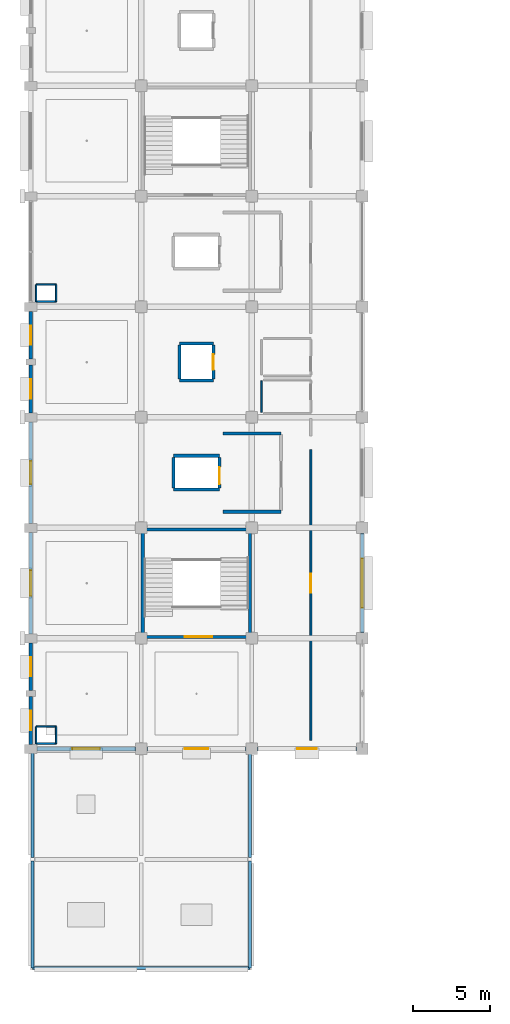
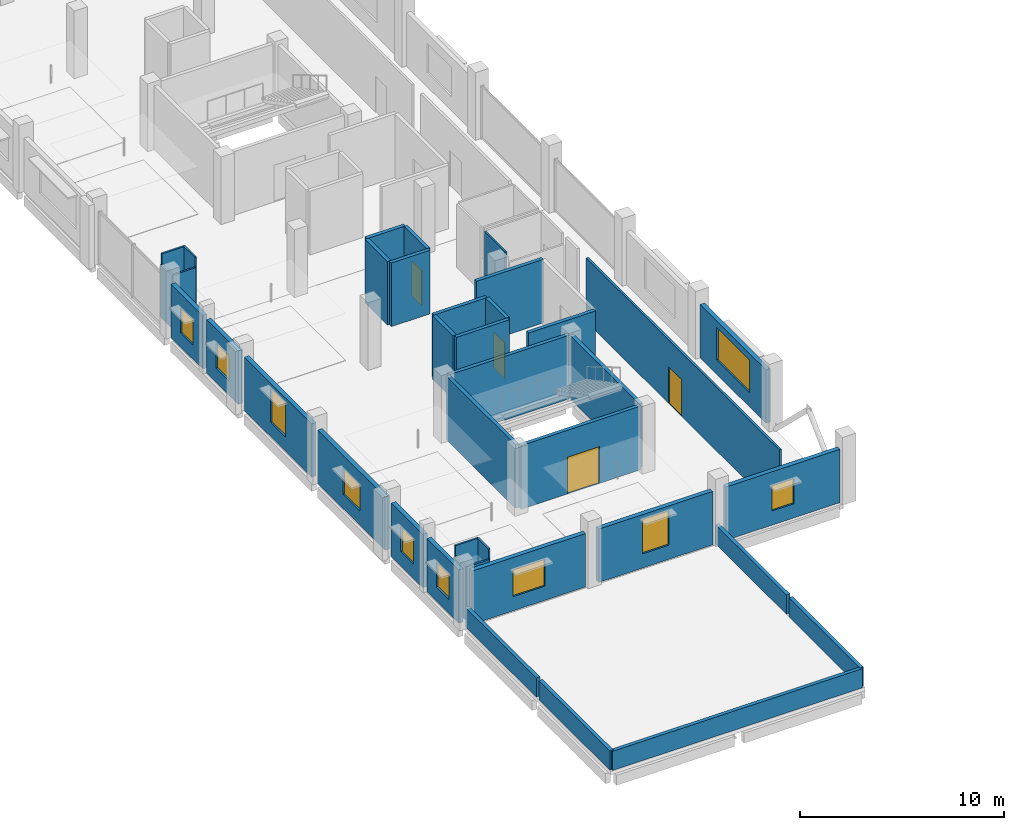
# One storey, part 66 of 91: 39 walls, 10 windows, 4 doors, 14 openings.
"""IFC4 building model written with IfcOpenShell, lengths in metres."""

from ifc_helpers import new_model, si_unit, direction, frame, frame_2d, origin, place, context, subcontext, project, spatial, rectangle, extrude, material, layer, layer_set, type_object, element, fill, save


model = new_model("IFC4")

# Units and contexts
model_context = context("Model", 3, precision=1e-05, world=origin(), true_north=direction((0.0, 1.0)))
body_context = subcontext(model_context, "Body", "Model", "MODEL_VIEW")
ifc_project = project(units=[si_unit("LENGTHUNIT", "METRE"), si_unit("AREAUNIT", "SQUARE_METRE"), si_unit("VOLUMEUNIT", "CUBIC_METRE"), si_unit("PLANEANGLEUNIT", "RADIAN"), si_unit("MASSUNIT", "GRAM", prefix="KILO")], contexts=[model_context])

# Site, building, storey
site_placement = place(None, origin())
site = spatial("IfcSite", under=ifc_project, at=site_placement, CompositionType="ELEMENT")
building_placement = place(site_placement, origin())
building = spatial("IfcBuilding", under=site, at=building_placement, Name="Kangsadwip Square Police Headquarters", CompositionType="ELEMENT")
storey_placement = place(building_placement, frame((0.0, 0.0, 13.5)))
storey = spatial("IfcBuildingStorey", under=building, at=storey_placement, Name="L03", CompositionType="ELEMENT", Elevation=13.5)

# Wall, opening, door
ifc_material_1 = material(Name="Fire-rated double gypsum board acoustic stud partition", Category="masonry")
ifc_layer_1 = layer(ifc_material_1, 0.1201171875)
ifc_layer_set_1 = layer_set([ifc_layer_1], Name="Fire-rated double gypsum board acoustic stud partition")
wall_type_1 = type_object("IfcWallType", Name="AcousticPartition120", PredefinedType="PARTITIONING", material=ifc_layer_set_1)
wall_1_placement = place(storey_placement, frame((18.25, 36.550048828125, 0.0), z_axis=(0.0, 0.0, 1.0), x_axis=(0.0, 1.0, 0.0)))
wall_1 = element("IfcWall", 1, at=wall_1_placement, inside=storey, type_object=wall_type_1, Name="Interior Wall WI-L03-0820", PredefinedType="PARTITIONING", context=body_context, shape_type="SweptSolid", body=[
    extrude(rectangle(XDim=18.949951171875, YDim=0.1201171875, at=frame_2d((9.47509765625, 0.0))), origin(), (0.0, 0.0, 1.0), 3.81005859375),
])
opening_1_placement = place(wall_1_placement, frame((9.60888671875, 0.0, 0.0)))
opening_1 = element("IfcOpeningElement", 2, at=opening_1_placement, cuts=wall_1, Name="Opening ID-12A", PredefinedType="OPENING", context=body_context, shape_type="SweptSolid", body=[
    extrude(rectangle(XDim=1.25, YDim=2.199951171875, at=frame_2d((0.625, 1.10009765625))), frame((0.0, 0.070068359375, 0.0), z_axis=(0.0, -1.0, 0.0), x_axis=(1.0, 0.0, 0.0)), (0.0, 0.0, 1.0), 0.14013671875),
])
ifc_material_2 = material(Name="Solid-core seasoned teak hardwood architectural door", Category="wood")
door_type_1 = type_object("IfcDoorType", Name="ClassroomDoor1250x2200", OperationType="NOTDEFINED", PredefinedType="DOOR", material=ifc_material_2)
door_1_placement = place(opening_1_placement, origin())
door_1 = element("IfcDoor", 3, at=door_1_placement, inside=storey, type_object=door_type_1, Name="Interior Door ID-L03-0213", OperationType="SINGLE_SWING_RIGHT", OverallHeight=2.199951171875, OverallWidth=1.25, PredefinedType="DOOR", context=body_context, shape_type="SweptSolid", body=[
    extrude(rectangle(XDim=1.25, YDim=2.199951171875, at=frame_2d((0.625, 1.10009765625))), frame((0.0, 0.02490234375, 0.0), z_axis=(0.0, -1.0, 0.0), x_axis=(1.0, 0.0, 0.0)), (0.0, 0.0, 1.0), 0.050048828125),
])
fill(opening_1, door_1)

# Wall, opening, window
ifc_material_3 = material(Name="Glazed architectural terracotta masonry rainscreen", Category="masonry")
ifc_layer_2 = layer(ifc_material_3, 0.25)
ifc_layer_set_2 = layer_set([ifc_layer_2], Name="Glazed architectural terracotta masonry rainscreen")
wall_type_2 = type_object("IfcWallType", Name="ChicagoTerracottaWall250", PredefinedType="SOLIDWALL", material=ifc_layer_set_2)
wall_2_placement = place(storey_placement, frame((0.39501953125, 36.0, 0.0), z_axis=(0.0, 0.0, 1.0), x_axis=(1.0, 0.0, 0.0)))
wall_2 = element("IfcWall", 4, at=wall_2_placement, inside=storey, type_object=wall_type_2, Name="Exterior Wall WE-L03-369", PredefinedType="SOLIDWALL", context=body_context, shape_type="SweptSolid", body=[
    extrude(rectangle(XDim=6.43505859375, YDim=0.25, at=frame_2d((3.217529296875, 0.0))), origin(), (0.0, 0.0, 1.0), 3.195068359375),
])
opening_2_placement = place(wall_2_placement, frame((2.3173828125, 0.0, 0.85009765625)))
opening_2 = element("IfcOpeningElement", 5, at=opening_2_placement, cuts=wall_2, Name="Opening WN-10", PredefinedType="OPENING", context=body_context, shape_type="SweptSolid", body=[
    extrude(rectangle(XDim=1.800048828125, YDim=1.60009765625, at=frame_2d((0.89990234375, 0.800048828125))), frame((0.0, 0.135009765625, 0.0), z_axis=(0.0, -1.0, 0.0), x_axis=(1.0, 0.0, 0.0)), (0.0, 0.0, 1.0), 0.27001953125),
])
ifc_material_4 = material(Name="Double-glazed solar-control low-E safety glass", Category="glass")
window_type_1 = type_object("IfcWindowType", Name="LabCleanViewWin1800x1600", PartitioningType="DOUBLE_PANEL_VERTICAL", PredefinedType="WINDOW", material=ifc_material_4)
window_1_placement = place(opening_2_placement, origin())
window_1 = element("IfcWindow", 6, at=window_1_placement, inside=storey, type_object=window_type_1, Name="Window WN-L03-0222", OverallHeight=1.60009765625, OverallWidth=1.800048828125, PartitioningType="SINGLE_PANEL", PredefinedType="WINDOW", context=body_context, shape_type="SweptSolid", body=[
    extrude(rectangle(XDim=1.800048828125, YDim=1.60009765625, at=frame_2d((0.89990234375, 0.800048828125))), frame((0.0, 0.030029296875, 0.0), z_axis=(0.0, -1.0, 0.0), x_axis=(1.0, 0.0, 0.0)), (0.0, 0.0, 1.0), 0.06005859375),
])
fill(opening_2, window_1)

wall_3_placement = place(storey_placement, frame((7.570068359375, 36.0, 0.0), z_axis=(0.0, 0.0, 1.0), x_axis=(1.0, 0.0, 0.0)))
wall_3 = element("IfcWall", 7, at=wall_3_placement, inside=storey, type_object=wall_type_2, Name="Exterior Wall WE-L03-370", PredefinedType="SOLIDWALL", context=body_context, shape_type="SweptSolid", body=[
    extrude(rectangle(XDim=6.4599609375, YDim=0.25, at=frame_2d((3.22998046875, 0.0))), origin(), (0.0, 0.0, 1.0), 3.195068359375),
])
opening_3_placement = place(wall_3_placement, frame((2.47998046875, 0.0, 0.85009765625)))
opening_3 = element("IfcOpeningElement", 8, at=opening_3_placement, cuts=wall_3, Name="Opening WN-12", PredefinedType="OPENING", context=body_context, shape_type="SweptSolid", body=[
    extrude(rectangle(XDim=1.5, YDim=2.050048828125, at=frame_2d((0.75, 1.02490234375))), frame((0.0, 0.135009765625, 0.0), z_axis=(0.0, -1.0, 0.0), x_axis=(1.0, 0.0, 0.0)), (0.0, 0.0, 1.0), 0.27001953125),
])
ifc_material_5 = material(Name="Double-glazed solar-control low-E safety glass", Category="glass")
window_type_2 = type_object("IfcWindowType", Name="DirectorateTallWin1500x2050", PartitioningType="SINGLE_PANEL", PredefinedType="WINDOW", material=ifc_material_5)
window_2_placement = place(opening_3_placement, origin())
window_2 = element("IfcWindow", 9, at=window_2_placement, inside=storey, type_object=window_type_2, Name="Window WN-L03-0223", OverallHeight=2.050048828125, OverallWidth=1.5, PartitioningType="SINGLE_PANEL", PredefinedType="WINDOW", context=body_context, shape_type="SweptSolid", body=[
    extrude(rectangle(XDim=1.5, YDim=2.050048828125, at=frame_2d((0.75, 1.02490234375))), frame((0.0, 0.030029296875, 0.0), z_axis=(0.0, -1.0, 0.0), x_axis=(1.0, 0.0, 0.0)), (0.0, 0.0, 1.0), 0.06005859375),
])
fill(opening_3, window_2)

wall_4_placement = place(storey_placement, frame((14.77001953125, 36.0, 0.0), z_axis=(0.0, 0.0, 1.0), x_axis=(1.0, 0.0, 0.0)))
wall_4 = element("IfcWall", 10, at=wall_4_placement, inside=storey, type_object=wall_type_2, Name="Exterior Wall WE-L03-371", PredefinedType="SOLIDWALL", context=body_context, shape_type="SweptSolid", body=[
    extrude(rectangle(XDim=6.4599609375, YDim=0.25, at=frame_2d((3.22998046875, 0.0))), origin(), (0.0, 0.0, 1.0), 3.195068359375),
])
opening_4_placement = place(wall_4_placement, frame((2.60498046875, 0.0, 0.85009765625)))
opening_4 = element("IfcOpeningElement", 11, at=opening_4_placement, cuts=wall_4, Name="Opening WN-14", PredefinedType="OPENING", context=body_context, shape_type="SweptSolid", body=[
    extrude(rectangle(XDim=1.25, YDim=1.5, at=frame_2d((0.625, 0.75))), frame((0.0, 0.135009765625, 0.0), z_axis=(0.0, -1.0, 0.0), x_axis=(1.0, 0.0, 0.0)), (0.0, 0.0, 1.0), 0.27001953125),
])
ifc_material_6 = material(Name="Double-glazed solar-control low-E safety glass", Category="glass")
window_type_3 = type_object("IfcWindowType", Name="OfficeCasementWin1250x1500", PartitioningType="SINGLE_PANEL", PredefinedType="WINDOW", material=ifc_material_6)
window_3_placement = place(opening_4_placement, origin())
window_3 = element("IfcWindow", 12, at=window_3_placement, inside=storey, type_object=window_type_3, Name="Window WN-L03-0224", OverallHeight=1.5, OverallWidth=1.25, PartitioningType="SINGLE_PANEL", PredefinedType="WINDOW", context=body_context, shape_type="SweptSolid", body=[
    extrude(rectangle(XDim=1.25, YDim=1.5, at=frame_2d((0.625, 0.75))), frame((0.0, 0.030029296875, 0.0), z_axis=(0.0, -1.0, 0.0), x_axis=(1.0, 0.0, 0.0)), (0.0, 0.0, 1.0), 0.06005859375),
])
fill(opening_4, window_3)

wall_5_placement = place(storey_placement, frame((0.0, 36.294921875, 0.0), z_axis=(0.0, 0.0, 1.0), x_axis=(0.0, 1.0, 0.0)))
wall_5 = element("IfcWall", 13, at=wall_5_placement, inside=storey, type_object=wall_type_2, Name="Exterior Wall WE-L03-380", PredefinedType="SOLIDWALL", context=body_context, shape_type="SweptSolid", body=[
    extrude(rectangle(XDim=3.110107421875, YDim=0.25, at=frame_2d((1.55517578125, 0.0))), origin(), (0.0, 0.0, 1.0), 3.195068359375),
])
opening_5_placement = place(wall_5_placement, frame((0.929931640625, 0.0, 0.85009765625)))
opening_5 = element("IfcOpeningElement", 14, at=opening_5_placement, cuts=wall_5, Name="Opening WN-14", PredefinedType="OPENING", context=body_context, shape_type="SweptSolid", body=[
    extrude(rectangle(XDim=1.25, YDim=1.5, at=frame_2d((0.625, 0.75))), frame((0.0, 0.135009765625, 0.0), z_axis=(0.0, -1.0, 0.0), x_axis=(1.0, 0.0, 0.0)), (0.0, 0.0, 1.0), 0.27001953125),
])
window_4_placement = place(opening_5_placement, origin())
window_4 = element("IfcWindow", 15, at=window_4_placement, inside=storey, type_object=window_type_3, Name="Window WN-L03-0233", OverallHeight=1.5, OverallWidth=1.25, PartitioningType="SINGLE_PANEL", PredefinedType="WINDOW", context=body_context, shape_type="SweptSolid", body=[
    extrude(rectangle(XDim=1.25, YDim=1.5, at=frame_2d((0.625, 0.75))), frame((0.0, 0.030029296875, 0.0), z_axis=(0.0, -1.0, 0.0), x_axis=(1.0, 0.0, 0.0)), (0.0, 0.0, 1.0), 0.06005859375),
])
fill(opening_5, window_4)

wall_6_placement = place(storey_placement, frame((0.0, 39.794921875, 0.0), z_axis=(0.0, 0.0, 1.0), x_axis=(0.0, 1.0, 0.0)))
wall_6 = element("IfcWall", 16, at=wall_6_placement, inside=storey, type_object=wall_type_2, Name="Exterior Wall WE-L03-381", PredefinedType="SOLIDWALL", context=body_context, shape_type="SweptSolid", body=[
    extrude(rectangle(XDim=3.110107421875, YDim=0.25, at=frame_2d((1.55517578125, 0.0))), origin(), (0.0, 0.0, 1.0), 3.195068359375),
])
opening_6_placement = place(wall_6_placement, frame((0.929931640625, 0.0, 0.85009765625)))
opening_6 = element("IfcOpeningElement", 17, at=opening_6_placement, cuts=wall_6, Name="Opening WN-14", PredefinedType="OPENING", context=body_context, shape_type="SweptSolid", body=[
    extrude(rectangle(XDim=1.25, YDim=1.5, at=frame_2d((0.625, 0.75))), frame((0.0, 0.135009765625, 0.0), z_axis=(0.0, -1.0, 0.0), x_axis=(1.0, 0.0, 0.0)), (0.0, 0.0, 1.0), 0.27001953125),
])
window_5_placement = place(opening_6_placement, origin())
window_5 = element("IfcWindow", 18, at=window_5_placement, inside=storey, type_object=window_type_3, Name="Window WN-L03-0234", OverallHeight=1.5, OverallWidth=1.25, PartitioningType="SINGLE_PANEL", PredefinedType="WINDOW", context=body_context, shape_type="SweptSolid", body=[
    extrude(rectangle(XDim=1.25, YDim=1.5, at=frame_2d((0.625, 0.75))), frame((0.0, 0.030029296875, 0.0), z_axis=(0.0, -1.0, 0.0), x_axis=(1.0, 0.0, 0.0)), (0.0, 0.0, 1.0), 0.06005859375),
])
fill(opening_6, window_5)

wall_7_placement = place(storey_placement, frame((0.0, 43.4951171875, 0.0), z_axis=(0.0, 0.0, 1.0), x_axis=(0.0, 1.0, 0.0)))
wall_7 = element("IfcWall", 19, at=wall_7_placement, inside=storey, type_object=wall_type_2, Name="Exterior Wall WE-L03-382", PredefinedType="SOLIDWALL", context=body_context, shape_type="SweptSolid", body=[
    extrude(rectangle(XDim=6.60986328125, YDim=0.25, at=frame_2d((3.304931640625, 0.0))), origin(), (0.0, 0.0, 1.0), 3.195068359375),
])
opening_7_placement = place(wall_7_placement, frame((2.47998046875, 0.0, 0.85009765625)))
opening_7 = element("IfcOpeningElement", 20, at=opening_7_placement, cuts=wall_7, Name="Opening WN-11", PredefinedType="OPENING", context=body_context, shape_type="SweptSolid", body=[
    extrude(rectangle(XDim=1.64990234375, YDim=1.550048828125, at=frame_2d((0.824951171875, 0.77490234375))), frame((0.0, 0.135009765625, 0.0), z_axis=(0.0, -1.0, 0.0), x_axis=(1.0, 0.0, 0.0)), (0.0, 0.0, 1.0), 0.27001953125),
])
ifc_material_7 = material(Name="Double-glazed solar-control low-E safety glass", Category="glass")
window_type_4 = type_object("IfcWindowType", Name="LabCleanViewWin1650x1550", PartitioningType="SINGLE_PANEL", PredefinedType="WINDOW", material=ifc_material_7)
window_6_placement = place(opening_7_placement, origin())
window_6 = element("IfcWindow", 21, at=window_6_placement, inside=storey, type_object=window_type_4, Name="Window WN-L03-0235", OverallHeight=1.550048828125, OverallWidth=1.64990234375, PartitioningType="SINGLE_PANEL", PredefinedType="WINDOW", context=body_context, shape_type="SweptSolid", body=[
    extrude(rectangle(XDim=1.64990234375, YDim=1.550048828125, at=frame_2d((0.824951171875, 0.77490234375))), frame((0.0, 0.030029296875, 0.0), z_axis=(0.0, -1.0, 0.0), x_axis=(1.0, 0.0, 0.0)), (0.0, 0.0, 1.0), 0.06005859375),
])
fill(opening_7, window_6)

wall_8_placement = place(storey_placement, frame((0.0, 50.695068359375, 0.0), z_axis=(0.0, 0.0, 1.0), x_axis=(0.0, 1.0, 0.0)))
wall_8 = element("IfcWall", 22, at=wall_8_placement, inside=storey, type_object=wall_type_2, Name="Exterior Wall WE-L03-383", PredefinedType="SOLIDWALL", context=body_context, shape_type="SweptSolid", body=[
    extrude(rectangle(XDim=6.60986328125, YDim=0.25, at=frame_2d((3.304931640625, 0.0))), origin(), (0.0, 0.0, 1.0), 3.195068359375),
])
opening_8_placement = place(wall_8_placement, frame((2.554931640625, 0.0, 0.85009765625)))
opening_8 = element("IfcOpeningElement", 23, at=opening_8_placement, cuts=wall_8, Name="Opening WN-12", PredefinedType="OPENING", context=body_context, shape_type="SweptSolid", body=[
    extrude(rectangle(XDim=1.5, YDim=2.050048828125, at=frame_2d((0.75, 1.02490234375))), frame((0.0, 0.135009765625, 0.0), z_axis=(0.0, -1.0, 0.0), x_axis=(1.0, 0.0, 0.0)), (0.0, 0.0, 1.0), 0.27001953125),
])
window_7_placement = place(opening_8_placement, origin())
window_7 = element("IfcWindow", 24, at=window_7_placement, inside=storey, type_object=window_type_2, Name="Window WN-L03-0236", OverallHeight=2.050048828125, OverallWidth=1.5, PartitioningType="SINGLE_PANEL", PredefinedType="WINDOW", context=body_context, shape_type="SweptSolid", body=[
    extrude(rectangle(XDim=1.5, YDim=2.050048828125, at=frame_2d((0.75, 1.02490234375))), frame((0.0, 0.030029296875, 0.0), z_axis=(0.0, -1.0, 0.0), x_axis=(1.0, 0.0, 0.0)), (0.0, 0.0, 1.0), 0.06005859375),
])
fill(opening_8, window_7)

wall_9_placement = place(storey_placement, frame((0.0, 57.89501953125, 0.0), z_axis=(0.0, 0.0, 1.0), x_axis=(0.0, 1.0, 0.0)))
wall_9 = element("IfcWall", 25, at=wall_9_placement, inside=storey, type_object=wall_type_2, Name="Exterior Wall WE-L03-384", PredefinedType="SOLIDWALL", context=body_context, shape_type="SweptSolid", body=[
    extrude(rectangle(XDim=3.10986328125, YDim=0.25, at=frame_2d((1.554931640625, 0.0))), origin(), (0.0, 0.0, 1.0), 3.195068359375),
])
opening_9_placement = place(wall_9_placement, frame((0.929931640625, 0.0, 0.85009765625)))
opening_9 = element("IfcOpeningElement", 26, at=opening_9_placement, cuts=wall_9, Name="Opening WN-14", PredefinedType="OPENING", context=body_context, shape_type="SweptSolid", body=[
    extrude(rectangle(XDim=1.25, YDim=1.5, at=frame_2d((0.625, 0.75))), frame((0.0, 0.135009765625, 0.0), z_axis=(0.0, -1.0, 0.0), x_axis=(1.0, 0.0, 0.0)), (0.0, 0.0, 1.0), 0.27001953125),
])
window_8_placement = place(opening_9_placement, origin())
window_8 = element("IfcWindow", 27, at=window_8_placement, inside=storey, type_object=window_type_3, Name="Window WN-L03-0237", OverallHeight=1.5, OverallWidth=1.25, PartitioningType="SINGLE_PANEL", PredefinedType="WINDOW", context=body_context, shape_type="SweptSolid", body=[
    extrude(rectangle(XDim=1.25, YDim=1.5, at=frame_2d((0.625, 0.75))), frame((0.0, 0.030029296875, 0.0), z_axis=(0.0, -1.0, 0.0), x_axis=(1.0, 0.0, 0.0)), (0.0, 0.0, 1.0), 0.06005859375),
])
fill(opening_9, window_8)

wall_10_placement = place(storey_placement, frame((0.0, 61.39501953125, 0.0), z_axis=(0.0, 0.0, 1.0), x_axis=(0.0, 1.0, 0.0)))
wall_10 = element("IfcWall", 28, at=wall_10_placement, inside=storey, type_object=wall_type_2, Name="Exterior Wall WE-L03-385", PredefinedType="SOLIDWALL", context=body_context, shape_type="SweptSolid", body=[
    extrude(rectangle(XDim=3.10986328125, YDim=0.25, at=frame_2d((1.554931640625, 0.0))), origin(), (0.0, 0.0, 1.0), 3.195068359375),
])
opening_10_placement = place(wall_10_placement, frame((0.929931640625, 0.0, 0.85009765625)))
opening_10 = element("IfcOpeningElement", 29, at=opening_10_placement, cuts=wall_10, Name="Opening WN-14", PredefinedType="OPENING", context=body_context, shape_type="SweptSolid", body=[
    extrude(rectangle(XDim=1.25, YDim=1.5, at=frame_2d((0.625, 0.75))), frame((0.0, 0.135009765625, 0.0), z_axis=(0.0, -1.0, 0.0), x_axis=(1.0, 0.0, 0.0)), (0.0, 0.0, 1.0), 0.27001953125),
])
window_9_placement = place(opening_10_placement, origin())
window_9 = element("IfcWindow", 30, at=window_9_placement, inside=storey, type_object=window_type_3, Name="Window WN-L03-0238", OverallHeight=1.5, OverallWidth=1.25, PartitioningType="SINGLE_PANEL", PredefinedType="WINDOW", context=body_context, shape_type="SweptSolid", body=[
    extrude(rectangle(XDim=1.25, YDim=1.5, at=frame_2d((0.625, 0.75))), frame((0.0, 0.030029296875, 0.0), z_axis=(0.0, -1.0, 0.0), x_axis=(1.0, 0.0, 0.0)), (0.0, 0.0, 1.0), 0.06005859375),
])
fill(opening_10, window_9)

wall_11_placement = place(storey_placement, frame((21.60009765625, 43.570068359375, 0.0), z_axis=(0.0, 0.0, 1.0), x_axis=(0.0, 1.0, 0.0)))
wall_11 = element("IfcWall", 31, at=wall_11_placement, inside=storey, type_object=wall_type_2, Name="Exterior Wall WE-L03-392", PredefinedType="SOLIDWALL", context=body_context, shape_type="SweptSolid", body=[
    extrude(rectangle(XDim=6.4599609375, YDim=0.25, at=frame_2d((3.22998046875, 0.0))), origin(), (0.0, 0.0, 1.0), 3.195068359375),
])
opening_11_placement = place(wall_11_placement, frame((1.6298828125, 0.0, 0.85009765625)))
opening_11 = element("IfcOpeningElement", 32, at=opening_11_placement, cuts=wall_11, Name="Opening WN-03", PredefinedType="OPENING", context=body_context, shape_type="SweptSolid", body=[
    extrude(rectangle(XDim=3.199951171875, YDim=1.949951171875, at=frame_2d((1.60009765625, 0.97509765625))), frame((0.0, 0.135009765625, 0.0), z_axis=(0.0, -1.0, 0.0), x_axis=(1.0, 0.0, 0.0)), (0.0, 0.0, 1.0), 0.27001953125),
])
ifc_material_8 = material(Name="Double-glazed solar-control low-E safety glass", Category="glass")
window_type_5 = type_object("IfcWindowType", Name="ChicagoTripartiteWin3200x1950", PartitioningType="TRIPLE_PANEL_HORIZONTAL", PredefinedType="WINDOW", material=ifc_material_8)
window_10_placement = place(opening_11_placement, origin())
window_10 = element("IfcWindow", 33, at=window_10_placement, inside=storey, type_object=window_type_5, Name="Window WN-L03-0245", OverallHeight=1.949951171875, OverallWidth=3.199951171875, PartitioningType="SINGLE_PANEL", PredefinedType="WINDOW", context=body_context, shape_type="SweptSolid", body=[
    extrude(rectangle(XDim=3.199951171875, YDim=1.949951171875, at=frame_2d((1.60009765625, 0.97509765625))), frame((0.0, 0.030029296875, 0.0), z_axis=(0.0, -1.0, 0.0), x_axis=(1.0, 0.0, 0.0)), (0.0, 0.0, 1.0), 0.06005859375),
])
fill(opening_11, window_10)

# Wall, opening, door
ifc_material_9 = material(Name="Concrete M40 (40 MPa)", Category="concrete")
ifc_layer_3 = layer(ifc_material_9, 0.199951171875)
ifc_layer_set_3 = layer_set([ifc_layer_3], Name="Concrete M40 (40 MPa)")
wall_type_3 = type_object("IfcWallType", Name="CoreShearWall200", PredefinedType="SHEAR", material=ifc_layer_set_3)
wall_12_placement = place(storey_placement, frame((7.39990234375, 43.300048828125, 0.0), z_axis=(0.0, 0.0, 1.0), x_axis=(1.0, 0.0, 0.0)))
wall_12 = element("IfcWall", 34, at=wall_12_placement, inside=storey, type_object=wall_type_3, Name="Interior Wall WI-L03-0025", PredefinedType="SHEAR", context=body_context, shape_type="SweptSolid", body=[
    extrude(rectangle(XDim=6.800048828125, YDim=0.199951171875, at=frame_2d((3.39990234375, 0.0))), origin(), (0.0, 0.0, 1.0), 3.81005859375),
])
opening_12_placement = place(wall_12_placement, frame((2.632080078125, 0.0, 0.0)))
opening_12 = element("IfcOpeningElement", 35, at=opening_12_placement, cuts=wall_12, Name="Opening FD-18", PredefinedType="OPENING", context=body_context, shape_type="SweptSolid", body=[
    extrude(rectangle(XDim=1.800048828125, YDim=2.199951171875, at=frame_2d((0.89990234375, 1.10009765625))), frame((0.0, 0.10986328125, 0.0), z_axis=(0.0, -1.0, 0.0), x_axis=(1.0, 0.0, 0.0)), (0.0, 0.0, 1.0), 0.219970703125),
])
ifc_material_10 = material(Name="Insulated galvanized steel fire-rated door assembly", Category="steel")
door_type_2 = type_object("IfcDoorType", Name="StairFireDoor1800x2200", OperationType="DOUBLE_DOOR_SINGLE_SWING", PredefinedType="DOOR", material=ifc_material_10)
door_2_placement = place(opening_12_placement, origin())
door_2 = element("IfcDoor", 36, at=door_2_placement, inside=storey, type_object=door_type_2, Name="Interior Door ID-L03-0005", OperationType="DOUBLE_DOOR_SINGLE_SWING", OverallHeight=2.199951171875, OverallWidth=1.800048828125, PredefinedType="DOOR", context=body_context, shape_type="SweptSolid", body=[
    extrude(rectangle(XDim=1.800048828125, YDim=2.199951171875, at=frame_2d((0.89990234375, 1.10009765625))), frame((0.0, 0.02490234375, 0.0), z_axis=(0.0, -1.0, 0.0), x_axis=(1.0, 0.0, 0.0)), (0.0, 0.0, 1.0), 0.050048828125),
])
fill(opening_12, door_2)

# Walls
for number, where, z_axis, x_axis, name in (
    (37, (7.39990234375, 50.300048828125, 0.0), (0.0, 0.0, 1.0), (1.0, 0.0, 0.0), "Interior Wall WI-L03-0026"),
    (38, (7.300048828125, 43.39990234375, 0.0), (0.0, 0.0, 1.0), (0.0, 1.0, 0.0), "Interior Wall WI-L03-0027"),
    (39, (14.300048828125, 43.39990234375, 0.0), (0.0, 0.0, 1.0), (0.0, 1.0, 0.0), "Interior Wall WI-L03-0028"),
):
    element("IfcWall", number, at=place(storey_placement, frame(where, z_axis=z_axis, x_axis=x_axis)), inside=storey, type_object=wall_type_3, Name=name, PredefinedType="SHEAR", context=body_context, shape_type="SweptSolid", body=[
        extrude(rectangle(XDim=6.800048828125, YDim=0.199951171875, at=frame_2d((3.39990234375, 0.0))), origin(), (0.0, 0.0, 1.0), 3.81005859375),
    ])
for number, where, z_axis, x_axis, name in (
    (40, (9.300048828125, 52.89990234375, 0.0), (0.0, 0.0, 1.0), (1.0, 0.0, 0.0), "Interior Wall WI-L03-0247"),
    (41, (9.300048828125, 55.10009765625, 0.0), (0.0, 0.0, 1.0), (1.0, 0.0, 0.0), "Interior Wall WI-L03-0248"),
):
    element("IfcWall", number, at=place(storey_placement, frame(where, z_axis=z_axis, x_axis=x_axis)), inside=storey, type_object=wall_type_3, Name=name, PredefinedType="SHEAR", context=body_context, shape_type="SweptSolid", body=[
        extrude(rectangle(XDim=3.0, YDim=0.199951171875, at=frame_2d((1.5, 0.0))), origin(), (0.0, 0.0, 1.0), 3.81005859375),
    ])
wall_13_placement = place(storey_placement, frame((9.300048828125, 53.0, 0.0), z_axis=(0.0, 0.0, 1.0), x_axis=(0.0, 1.0, 0.0)))
element("IfcWall", 42, at=wall_13_placement, inside=storey, type_object=wall_type_3, Name="Interior Wall WI-L03-0249", PredefinedType="SHEAR", context=body_context, shape_type="SweptSolid", body=[
    extrude(rectangle(XDim=2.0, YDim=0.199951171875, at=frame_2d((1.0, 0.0))), origin(), (0.0, 0.0, 1.0), 3.81005859375),
])

# Wall, opening, door
wall_14_placement = place(storey_placement, frame((12.300048828125, 53.0, 0.0), z_axis=(0.0, 0.0, 1.0), x_axis=(0.0, 1.0, 0.0)))
wall_14 = element("IfcWall", 43, at=wall_14_placement, inside=storey, type_object=wall_type_3, Name="Interior Wall WI-L03-0250", PredefinedType="SHEAR", context=body_context, shape_type="SweptSolid", body=[
    extrude(rectangle(XDim=2.0, YDim=0.199951171875, at=frame_2d((1.0, 0.0))), origin(), (0.0, 0.0, 1.0), 3.81005859375),
])
opening_13_placement = place(wall_14_placement, frame((0.25, 0.0, 0.0)))
opening_13 = element("IfcOpeningElement", 44, at=opening_13_placement, cuts=wall_14, Name="Opening LD-005", PredefinedType="OPENING", context=body_context, shape_type="SweptSolid", body=[
    extrude(rectangle(XDim=1.10009765625, YDim=2.14990234375, at=frame_2d((0.550048828125, 1.074951171875))), frame((0.0, 0.10986328125, 0.0), z_axis=(0.0, -1.0, 0.0), x_axis=(1.0, 0.0, 0.0)), (0.0, 0.0, 1.0), 0.219970703125),
])
ifc_material_11 = material(Name="Brushed stainless steel automatic sliding lift landing door", Category="steel")
door_type_3 = type_object("IfcDoorType", Name="LiftLandingDoor1100x2150", OperationType="DOUBLE_DOOR_SLIDING", PredefinedType="DOOR", material=ifc_material_11)
door_3_placement = place(opening_13_placement, origin())
door_3 = element("IfcDoor", 45, at=door_3_placement, inside=storey, type_object=door_type_3, Name="Interior Door LD-005", OperationType="DOUBLE_DOOR_SLIDING", OverallHeight=2.14990234375, OverallWidth=1.10009765625, PredefinedType="DOOR", context=body_context, shape_type="SweptSolid", body=[
    extrude(rectangle(XDim=1.10009765625, YDim=2.14990234375, at=frame_2d((0.550048828125, 1.074951171875))), frame((0.0, 0.02490234375, 0.0), z_axis=(0.0, -1.0, 0.0), x_axis=(1.0, 0.0, 0.0)), (0.0, 0.0, 1.0), 0.050048828125),
])
fill(opening_13, door_3)

# Walls
for number, where, z_axis, x_axis, name in (
    (46, (9.699951171875, 60.0, 0.0), (0.0, 0.0, 1.0), (1.0, 0.0, 0.0), "Interior Wall WI-L03-0363"),
    (47, (9.699951171875, 62.39990234375, 0.0), (0.0, 0.0, 1.0), (1.0, 0.0, 0.0), "Interior Wall WI-L03-0364"),
    (48, (9.699951171875, 60.10009765625, 0.0), (0.0, 0.0, 1.0), (0.0, 1.0, 0.0), "Interior Wall WI-L03-0365"),
):
    element("IfcWall", number, at=place(storey_placement, frame(where, z_axis=z_axis, x_axis=x_axis)), inside=storey, type_object=wall_type_3, Name=name, PredefinedType="SHEAR", context=body_context, shape_type="SweptSolid", body=[
        extrude(rectangle(XDim=2.199951171875, YDim=0.199951171875, at=frame_2d((1.10009765625, 0.0))), origin(), (0.0, 0.0, 1.0), 3.81005859375),
    ])

# Wall, opening, door
wall_15_placement = place(storey_placement, frame((11.89990234375, 60.10009765625, 0.0), z_axis=(0.0, 0.0, 1.0), x_axis=(0.0, 1.0, 0.0)))
wall_15 = element("IfcWall", 49, at=wall_15_placement, inside=storey, type_object=wall_type_3, Name="Interior Wall WI-L03-0366", PredefinedType="SHEAR", context=body_context, shape_type="SweptSolid", body=[
    extrude(rectangle(XDim=2.199951171875, YDim=0.199951171875, at=frame_2d((1.10009765625, 0.0))), origin(), (0.0, 0.0, 1.0), 3.81005859375),
])
opening_14_placement = place(wall_15_placement, frame((0.60009765625, 0.0, 0.0)))
opening_14 = element("IfcOpeningElement", 50, at=opening_14_placement, cuts=wall_15, Name="Opening LD-031", PredefinedType="OPENING", context=body_context, shape_type="SweptSolid", body=[
    extrude(rectangle(XDim=1.0, YDim=2.10009765625, at=frame_2d((0.5, 1.050048828125))), frame((0.0, 0.10986328125, 0.0), z_axis=(0.0, -1.0, 0.0), x_axis=(1.0, 0.0, 0.0)), (0.0, 0.0, 1.0), 0.219970703125),
])
ifc_material_12 = material(Name="Brushed stainless steel automatic sliding lift landing door", Category="steel")
door_type_4 = type_object("IfcDoorType", Name="LiftLandingDoor1000x2100", OperationType="DOUBLE_DOOR_SLIDING", PredefinedType="DOOR", material=ifc_material_12)
door_4_placement = place(opening_14_placement, origin())
door_4 = element("IfcDoor", 51, at=door_4_placement, inside=storey, type_object=door_type_4, Name="Interior Door LD-031", OperationType="DOUBLE_DOOR_SLIDING", OverallHeight=2.10009765625, OverallWidth=1.0, PredefinedType="DOOR", context=body_context, shape_type="SweptSolid", body=[
    extrude(rectangle(XDim=1.0, YDim=2.10009765625, at=frame_2d((0.5, 1.050048828125))), frame((0.0, 0.02490234375, 0.0), z_axis=(0.0, -1.0, 0.0), x_axis=(1.0, 0.0, 0.0)), (0.0, 0.0, 1.0), 0.050048828125),
])
fill(opening_14, door_4)

# Walls
ifc_material_13 = material(Name="Concrete M40 (40 MPa)", Category="concrete")
ifc_layer_4 = layer(ifc_material_13, 0.199951171875)
ifc_layer_set_4 = layer_set([ifc_layer_4], Name="Concrete M40 (40 MPa)")
wall_type_4 = type_object("IfcWallType", Name="CustodySecurityWall200", PredefinedType="SOLIDWALL", material=ifc_layer_set_4)
for number, where, z_axis, x_axis, name in (
    (52, (12.5400390625, 51.449951171875, 0.0), (0.0, 0.0, 1.0), (1.0, 0.0, 0.0), "Interior Wall WI-L03-0792"),
    (53, (12.5400390625, 56.550048828125, 0.0), (0.0, 0.0, 1.0), (1.0, 0.0, 0.0), "Interior Wall WI-L03-0793"),
):
    element("IfcWall", number, at=place(storey_placement, frame(where, z_axis=z_axis, x_axis=x_axis)), inside=storey, type_object=wall_type_4, Name=name, PredefinedType="SOLIDWALL", context=body_context, shape_type="SweptSolid", body=[
        extrude(rectangle(XDim=3.780029296875, YDim=0.199951171875, at=frame_2d((1.89013671875, 0.0))), origin(), (0.0, 0.0, 1.0), 3.81005859375),
    ])
ifc_material_14 = material(Name="Concrete M35 (35 MPa)", Category="concrete")
ifc_layer_5 = layer(ifc_material_14, 0.199951171875)
ifc_layer_set_5 = layer_set([ifc_layer_5], Name="Concrete M35 (35 MPa)")
wall_type_5 = type_object("IfcWallType", Name="RoofParapetWall200", PredefinedType="PARAPET", material=ifc_layer_set_5)
wall_16_placement = place(storey_placement, frame((0.1201171875, 21.719970703125, 0.0), z_axis=(0.0, 0.0, 1.0), x_axis=(1.0, 0.0, 0.0)))
element("IfcWall", 54, at=wall_16_placement, inside=storey, type_object=wall_type_5, Name="Exterior Wall WE-L03-630", PredefinedType="PARAPET", context=body_context, shape_type="SweptSolid", body=[
    extrude(rectangle(XDim=14.159912109375, YDim=0.199951171875, at=frame_2d((7.080078125, 0.0))), origin(), (0.0, 0.0, 1.0), 1.14990234375),
])
for number, where, z_axis, x_axis, name in (
    (55, (14.280029296875, 21.719970703125, 0.0), (0.0, 0.0, 1.0), (0.0, 1.0, 0.0), "Exterior Wall WE-L03-631"),
    (56, (0.1201171875, 21.719970703125, 0.0), (0.0, 0.0, 1.0), (0.0, 1.0, 0.0), "Exterior Wall WE-L03-632"),
    (57, (14.280029296875, 28.919921875, 0.0), (0.0, 0.0, 1.0), (0.0, 1.0, 0.0), "Exterior Wall WE-L03-633"),
    (58, (0.1201171875, 28.919921875, 0.0), (0.0, 0.0, 1.0), (0.0, 1.0, 0.0), "Exterior Wall WE-L03-634"),
):
    element("IfcWall", number, at=place(storey_placement, frame(where, z_axis=z_axis, x_axis=x_axis)), inside=storey, type_object=wall_type_5, Name=name, PredefinedType="PARAPET", context=body_context, shape_type="SweptSolid", body=[
        extrude(rectangle(XDim=6.9599609375, YDim=0.199951171875, at=frame_2d((3.47998046875, 0.0))), origin(), (0.0, 0.0, 1.0), 1.14990234375),
    ])
ifc_material_15 = material(Name="Autoclaved aerated concrete blockwork masonry", Category="masonry")
ifc_layer_6 = layer(ifc_material_15, 0.10009765625)
ifc_layer_set_6 = layer_set([ifc_layer_6], Name="Autoclaved aerated concrete blockwork masonry")
wall_type_6 = type_object("IfcWallType", Name="WetWallPartition100", PredefinedType="PARTITIONING", material=ifc_layer_set_6)
wall_17_placement = place(storey_placement, frame((0.35009765625, 36.35009765625, 0.0), z_axis=(0.0, 0.0, 1.0), x_axis=(1.0, 0.0, 0.0)))
element("IfcWall", 59, at=wall_17_placement, inside=storey, type_object=wall_type_6, Name="Interior Wall WI-L03-0527", PredefinedType="PARTITIONING", context=body_context, shape_type="SweptSolid", body=[
    extrude(rectangle(XDim=1.2998046875, YDim=0.10009765625, at=frame_2d((0.64990234375, 0.0))), origin(), (0.0, 0.0, 1.0), 3.199951171875),
])
wall_18_placement = place(storey_placement, frame((0.35009765625, 37.449951171875, 0.0), z_axis=(0.0, 0.0, 1.0), x_axis=(1.0, 0.0, 0.0)))
element("IfcWall", 60, at=wall_18_placement, inside=storey, type_object=wall_type_6, Name="Interior Wall WI-L03-0528", PredefinedType="PARTITIONING", context=body_context, shape_type="SweptSolid", body=[
    extrude(rectangle(XDim=1.2998046875, YDim=0.10009765625, at=frame_2d((0.64990234375, 0.0))), origin(), (0.0, 0.0, 1.0), 3.81005859375),
])
wall_19_placement = place(storey_placement, frame((0.35009765625, 36.35009765625, 0.0), z_axis=(0.0, 0.0, 1.0), x_axis=(0.0, 1.0, 0.0)))
element("IfcWall", 61, at=wall_19_placement, inside=storey, type_object=wall_type_6, Name="Interior Wall WI-L03-0529", PredefinedType="PARTITIONING", context=body_context, shape_type="SweptSolid", body=[
    extrude(rectangle(XDim=1.099853515625, YDim=0.10009765625, at=frame_2d((0.5498046875, 0.0))), origin(), (0.0, 0.0, 1.0), 3.199951171875),
])
wall_20_placement = place(storey_placement, frame((1.64990234375, 36.35009765625, 0.0), z_axis=(0.0, 0.0, 1.0), x_axis=(0.0, 1.0, 0.0)))
element("IfcWall", 62, at=wall_20_placement, inside=storey, type_object=wall_type_6, Name="Interior Wall WI-L03-0530", PredefinedType="PARTITIONING", context=body_context, shape_type="SweptSolid", body=[
    extrude(rectangle(XDim=1.099853515625, YDim=0.10009765625, at=frame_2d((0.5498046875, 0.0))), origin(), (0.0, 0.0, 1.0), 3.81005859375),
])
wall_21_placement = place(storey_placement, frame((0.35009765625, 65.14990234375, 0.0), z_axis=(0.0, 0.0, 1.0), x_axis=(1.0, 0.0, 0.0)))
element("IfcWall", 63, at=wall_21_placement, inside=storey, type_object=wall_type_6, Name="Interior Wall WI-L03-0559", PredefinedType="PARTITIONING", context=body_context, shape_type="SweptSolid", body=[
    extrude(rectangle(XDim=1.2998046875, YDim=0.10009765625, at=frame_2d((0.64990234375, 0.0))), origin(), (0.0, 0.0, 1.0), 3.199951171875),
])
wall_22_placement = place(storey_placement, frame((0.35009765625, 66.25, 0.0), z_axis=(0.0, 0.0, 1.0), x_axis=(1.0, 0.0, 0.0)))
element("IfcWall", 64, at=wall_22_placement, inside=storey, type_object=wall_type_6, Name="Interior Wall WI-L03-0560", PredefinedType="PARTITIONING", context=body_context, shape_type="SweptSolid", body=[
    extrude(rectangle(XDim=1.2998046875, YDim=0.10009765625, at=frame_2d((0.64990234375, 0.0))), origin(), (0.0, 0.0, 1.0), 3.81005859375),
])
wall_23_placement = place(storey_placement, frame((0.35009765625, 65.14990234375, 0.0), z_axis=(0.0, 0.0, 1.0), x_axis=(0.0, 1.0, 0.0)))
element("IfcWall", 65, at=wall_23_placement, inside=storey, type_object=wall_type_6, Name="Interior Wall WI-L03-0561", PredefinedType="PARTITIONING", context=body_context, shape_type="SweptSolid", body=[
    extrude(rectangle(XDim=1.10009765625, YDim=0.10009765625, at=frame_2d((0.550048828125, 0.0))), origin(), (0.0, 0.0, 1.0), 3.199951171875),
])
wall_24_placement = place(storey_placement, frame((1.64990234375, 65.14990234375, 0.0), z_axis=(0.0, 0.0, 1.0), x_axis=(0.0, 1.0, 0.0)))
element("IfcWall", 66, at=wall_24_placement, inside=storey, type_object=wall_type_6, Name="Interior Wall WI-L03-0562", PredefinedType="PARTITIONING", context=body_context, shape_type="SweptSolid", body=[
    extrude(rectangle(XDim=1.10009765625, YDim=0.10009765625, at=frame_2d((0.550048828125, 0.0))), origin(), (0.0, 0.0, 1.0), 3.81005859375),
])
wall_25_placement = place(storey_placement, frame((15.050048828125, 57.929931640625, 0.0), z_axis=(0.0, 0.0, 1.0), x_axis=(0.0, 1.0, 0.0)))
element("IfcWall", 67, at=wall_25_placement, inside=storey, type_object=wall_type_6, Name="Interior Wall WI-L03-0803", PredefinedType="PARTITIONING", context=body_context, shape_type="SweptSolid", body=[
    extrude(rectangle(XDim=2.0400390625, YDim=0.10009765625, at=frame_2d((1.02001953125, 0.0))), origin(), (0.0, 0.0, 1.0), 3.81005859375),
])

save(model, "model.ifc")
